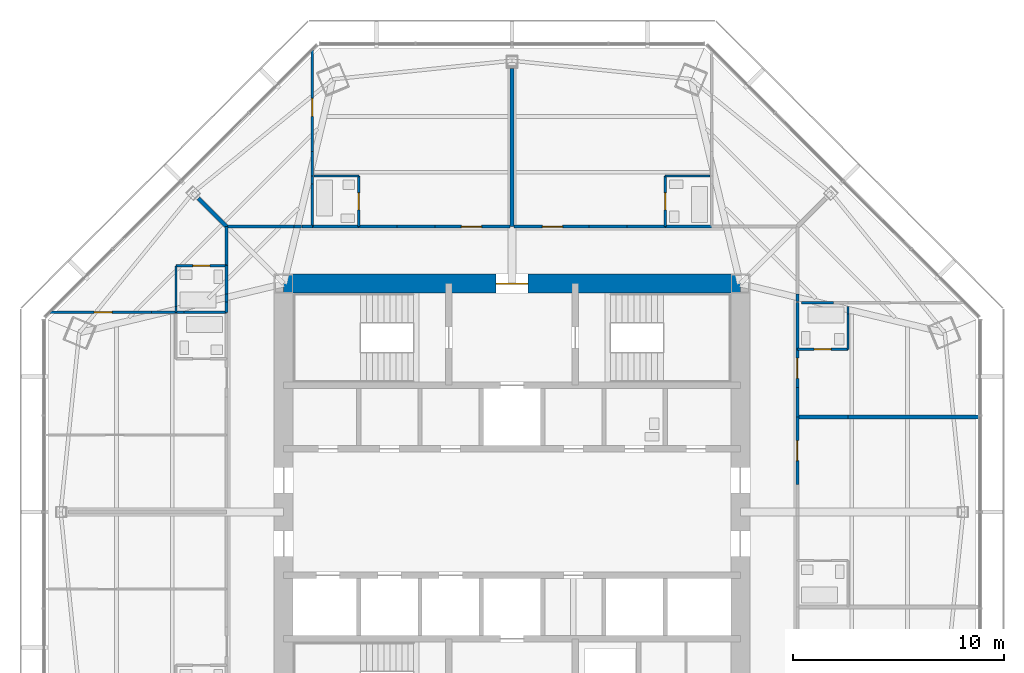
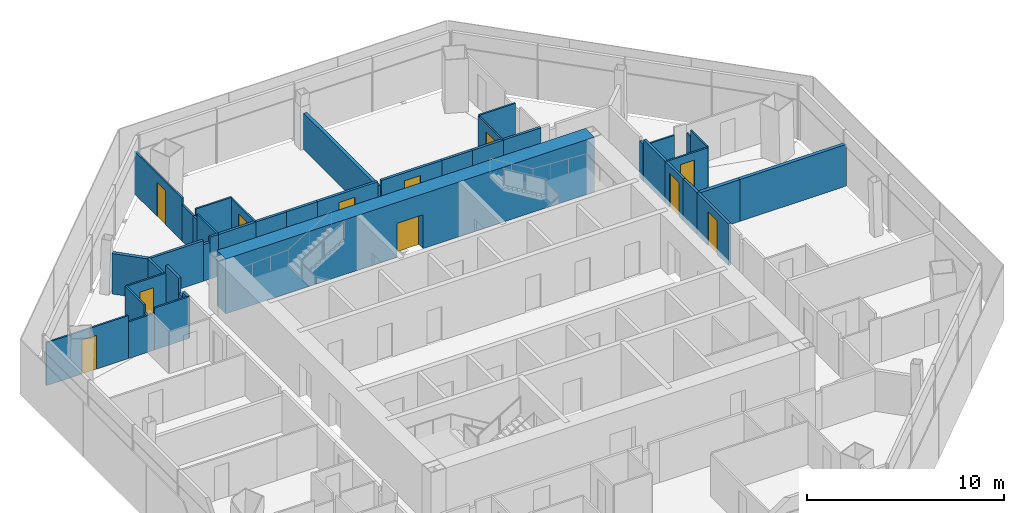
# One storey, part 12 of 15: 43 walls, 11 doors, 11 openings.
"""IFC4 building model written with IfcOpenShell, lengths in metres."""

import ifcopenshell
import ifcopenshell.guid

model = None  # the IFC model being written
_history = None  # IfcOwnerHistory: only IFC2X3 demands one
_inside = {}  # id of a spatial element -> (the spatial element, [elements in it])
_under = {}  # id of a project, library or spatial element -> (it, [spatial elements below it])
_declared = {}  # id of a project -> (the project, [libraries it declares])
_typed = {}  # id of a type object -> (the type object, [elements of that type])
_made_of = {}  # id of a material, layer set ... -> (it, [elements and type objects made of it])


def new_model(schema):
    """Start an empty IFC model of exactly this schema.

    Asked for "IFC4X3", IfcOpenShell would pick the latest addendum, in which some entities
    have other attributes; the version numbers below select the first issue.
    IFC2X3 requires an IfcOwnerHistory on every rooted entity: one is made here for all.
    """
    global model, _history
    if schema == "IFC4X3":
        model = ifcopenshell.file(schema_version=(4, 3, 0, 0))
    else:
        model = ifcopenshell.file(schema=schema)
    _inside.clear()
    _under.clear()
    _declared.clear()
    _typed.clear()
    _made_of.clear()
    _history = None
    if model.schema == "IFC2X3":
        org = make("IfcOrganization", Name="unknown")
        user = make(
            "IfcPersonAndOrganization",
            ThePerson=make("IfcPerson", FamilyName="unknown"),
            TheOrganization=org,
        )
        app = make(
            "IfcApplication",
            ApplicationDeveloper=org,
            Version="unknown",
            ApplicationFullName="unknown",
            ApplicationIdentifier="unknown",
        )
        _history = make(
            "IfcOwnerHistory",
            OwningUser=user,
            OwningApplication=app,
            ChangeAction="ADDED",
            CreationDate=0,
        )
    return model


def make(cls, **values):
    """One entity of the class cls with the attributes given. An attribute that is None is left unset."""
    return model.create_entity(
        cls, **{name: value for name, value in values.items() if value is not None}
    )


def rooted(cls, **values):
    """An entity with a GlobalId (a new one), such as an element, a storey or a relation."""
    return make(cls, GlobalId=ifcopenshell.guid.new(), OwnerHistory=_history, **values)


def si_unit(unit_type, name, prefix=None):
    """IfcSIUnit, for example si_unit("LENGTHUNIT", "METRE", prefix="MILLI")."""
    return make("IfcSIUnit", UnitType=unit_type, Prefix=prefix, Name=name)


def assignment(units):
    """IfcUnitAssignment: the units of a project."""
    return None if units is None else make("IfcUnitAssignment", Units=units)


def point(xyz):
    """IfcCartesianPoint."""
    return None if xyz is None else make("IfcCartesianPoint", Coordinates=xyz)


def direction(xyz):
    """IfcDirection."""
    return None if xyz is None else make("IfcDirection", DirectionRatios=xyz)


def frame(location, z_axis=None, x_axis=None):
    """IfcAxis2Placement3D, a coordinate frame: its origin and axes. An axis left out is left unset."""
    return make(
        "IfcAxis2Placement3D",
        Location=point(location),
        Axis=direction(z_axis),
        RefDirection=direction(x_axis),
    )


def frame_2d(location, x_axis=None):
    """IfcAxis2Placement2D, a coordinate frame in the plane: its origin and x axis."""
    return make(
        "IfcAxis2Placement2D", Location=point(location), RefDirection=direction(x_axis)
    )


def origin():
    """The frame at (0, 0, 0) with its axes left unset."""
    return frame((0.0, 0.0, 0.0))


def place(relative_to, where):
    """IfcLocalPlacement: puts the frame where relative to a parent placement (None: the world)."""
    return make(
        "IfcLocalPlacement", PlacementRelTo=relative_to, RelativePlacement=where
    )


def context(
    kind, dimensions, precision=None, world=None, true_north=None, identifier=None
):
    """IfcGeometricRepresentationContext, for example the 3D "Model" context."""
    return make(
        "IfcGeometricRepresentationContext",
        ContextIdentifier=identifier,
        ContextType=kind,
        CoordinateSpaceDimension=dimensions,
        Precision=precision,
        WorldCoordinateSystem=world,
        TrueNorth=true_north,
    )


def subcontext(parent, identifier, kind, view, scale=None):
    """IfcGeometricRepresentationSubContext, for example "Body" below "Model"."""
    return make(
        "IfcGeometricRepresentationSubContext",
        ContextIdentifier=identifier,
        ContextType=kind,
        ParentContext=parent,
        TargetScale=scale,
        TargetView=view,
    )


def project(units=None, contexts=None):
    """IfcProject with its units and contexts."""
    return rooted(
        "IfcProject",
        Name="project",
        RepresentationContexts=contexts,
        UnitsInContext=assignment(units),
    )


def spatial(cls, under=None, at=None, **own):
    """A site, building, storey or space (cls), placed at a placement, below another one or the project."""
    s = rooted(cls, ObjectPlacement=at, **own)
    if under is not None:
        _under.setdefault(under.id(), (under, []))[1].append(s)
    return s


def profile(cls, at=None, kind="AREA", **sizes):
    """A parametric profile (cls). Its sizes go by their IFC names, for example OverallWidth=200.0."""
    return make(cls, ProfileType=kind, Position=at, **sizes)


def rectangle(**sizes):
    """IfcRectangleProfileDef."""
    return profile("IfcRectangleProfileDef", **sizes)


def extrude(swept, where, along, depth):
    """IfcExtrudedAreaSolid: the profile swept, set in the frame where, extruded along a direction by depth."""
    return make(
        "IfcExtrudedAreaSolid",
        SweptArea=swept,
        Position=where,
        ExtrudedDirection=direction(along),
        Depth=depth,
    )


def shape(context_of_items, identifier, shape_type, items):
    """IfcShapeRepresentation: the items that make up one representation, for example the "Body"."""
    return make(
        "IfcShapeRepresentation",
        ContextOfItems=context_of_items,
        RepresentationIdentifier=identifier,
        RepresentationType=shape_type,
        Items=items,
    )


def material(Name=None, Category=None):
    """IfcMaterial."""
    return make("IfcMaterial", Name=Name, Category=Category)


def layer(
    of_material, thickness, ventilated=None, Name=None, Category=None, Priority=None
):
    """IfcMaterialLayer: one layer of a wall or slab, of a material (None: an air gap)."""
    return make(
        "IfcMaterialLayer",
        Material=of_material,
        LayerThickness=thickness,
        IsVentilated=ventilated,
        Name=Name,
        Category=Category,
        Priority=Priority,
    )


def layer_set(layers, Name=None):
    """IfcMaterialLayerSet."""
    return make("IfcMaterialLayerSet", MaterialLayers=layers, LayerSetName=Name)


def made_of(thing, what):
    """Note that an element or type object is made of a material, layer set ...; save() writes the relation."""
    if what is not None:
        _made_of.setdefault(what.id(), (what, []))[1].append(thing)
    return thing


def type_object(cls, material=None, **own):
    """A type object (cls), such as IfcWallType, which elements share."""
    return made_of(rooted(cls, **own), material)


def element(
    cls,
    number,
    at=None,
    inside=None,
    cuts=None,
    type_object=None,
    material=None,
    context=None,
    identifier="Body",
    shape_type=None,
    held_by="IfcProductDefinitionShape",
    body=None,
    shapes=None,
    **own,
):
    """One element of the class cls, such as IfcWall. Its Tag is "e" and its number.

    at: its placement. inside: the storey or other place that contains it. cuts: it is an
    opening in that element (IfcRelVoidsElement). A single representation is given by context,
    identifier, shape_type and body (its items); several are given by shapes. held_by: the class
    of the entity that holds the representations. save() writes the other relations.
    """
    e = rooted(cls, Tag="e%d" % number, ObjectPlacement=at, **own)
    if body is not None:
        shapes = [shape(context, identifier, shape_type, body)]
    if shapes is not None:
        e.Representation = make(held_by, Representations=shapes)
    if inside is not None:
        _inside.setdefault(inside.id(), (inside, []))[1].append(e)
    if cuts is not None:
        rooted(
            "IfcRelVoidsElement", RelatingBuildingElement=cuts, RelatedOpeningElement=e
        )
    if type_object is not None:
        _typed.setdefault(type_object.id(), (type_object, []))[1].append(e)
    return made_of(e, material)


def fill(opening, filler):
    """IfcRelFillsElement: the door or window that sits in an opening."""
    return rooted(
        "IfcRelFillsElement",
        RelatingOpeningElement=opening,
        RelatedBuildingElement=filler,
    )


def aggregate(whole, parts):
    """IfcRelAggregates: a whole, such as a stair, and the parts it consists of."""
    return rooted("IfcRelAggregates", RelatingObject=whole, RelatedObjects=parts)


def save(model, path):
    """Write the relations noted so far, then the file.

    IfcRelAggregates (storeys below a building ...), IfcRelContainedInSpatialStructure (elements
    in a storey), IfcRelDefinesByType, IfcRelAssociatesMaterial and IfcRelDeclares: one each for
    every whole, place, type object, material and project.
    """
    for whole, parts in _under.values():
        aggregate(whole, parts)
    for where, things in _inside.values():
        rooted(
            "IfcRelContainedInSpatialStructure",
            RelatedElements=things,
            RelatingStructure=where,
        )
    for kind, things in _typed.values():
        rooted("IfcRelDefinesByType", RelatedObjects=things, RelatingType=kind)
    for what, things in _made_of.values():
        rooted("IfcRelAssociatesMaterial", RelatedObjects=things, RelatingMaterial=what)
    for by, libraries in _declared.values():
        rooted("IfcRelDeclares", RelatingContext=by, RelatedDefinitions=libraries)
    model.write(path)


model = new_model("IFC4")

# Units and contexts
model_context = context("Model", 3, precision=1e-05, world=origin(), true_north=direction((0.0, 1.0)))
body_context = subcontext(model_context, "Body", "Model", "MODEL_VIEW")
ifc_project = project(units=[si_unit("LENGTHUNIT", "METRE"), si_unit("AREAUNIT", "SQUARE_METRE"), si_unit("VOLUMEUNIT", "CUBIC_METRE"), si_unit("PLANEANGLEUNIT", "RADIAN"), si_unit("MASSUNIT", "GRAM", prefix="KILO")], contexts=[model_context])

# Site, building, storey
site_placement = place(None, origin())
site = spatial("IfcSite", under=ifc_project, at=site_placement, CompositionType="ELEMENT")
building_placement = place(site_placement, origin())
building = spatial("IfcBuilding", under=site, at=building_placement, Name="Mashrafa Tower", CompositionType="ELEMENT")
storey_placement = place(building_placement, frame((0.0, 0.0, 207.39990234375)))
storey = spatial("IfcBuildingStorey", under=building, at=storey_placement, Name="L47", CompositionType="ELEMENT", Elevation=207.39990234375)

# Walls
ifc_material_1 = material(Name="Gypsum board on steel studs", Category="steel")
ifc_layer_1 = layer(ifc_material_1, 0.199951171875)
ifc_layer_set_1 = layer_set([ifc_layer_1], Name="Acoustic partition 200 1 hr")
wall_type_1 = type_object("IfcWallType", Name="Acoustic partition 200 1 hr", PredefinedType="PARTITIONING", material=ifc_layer_set_1)
wall_1_placement = place(storey_placement, frame((15.90087890625, 4.5, 0.0), z_axis=(0.0, 0.0, 1.0), x_axis=(-1.0, 0.0, 0.0)))
element("IfcWall", 1, at=wall_1_placement, inside=storey, type_object=wall_type_1, Name="Acoustic wall L47-071", PredefinedType="PARTITIONING", context=body_context, shape_type="SweptSolid", body=[
    extrude(rectangle(XDim=2.40087890625, YDim=0.199951171875, at=frame_2d((1.200439453125, 0.0))), origin(), (0.0, 0.0, 1.0), 2.590576171875),
])
wall_2_placement = place(storey_placement, frame((22.129638671875, 4.5, 0.0), z_axis=(0.0, 0.0, 1.0), x_axis=(-1.0, 0.0, 0.0)))
element("IfcWall", 2, at=wall_2_placement, inside=storey, type_object=wall_type_1, Name="Acoustic wall L47-072", PredefinedType="PARTITIONING", context=body_context, shape_type="SweptSolid", body=[
    extrude(rectangle(XDim=6.230712890625, YDim=0.199951171875, at=frame_2d((3.115234375, 0.0))), origin(), (0.0, 0.0, 1.0), 2.590576171875),
])
wall_3_placement = place(storey_placement, frame((0.0, 20.982421875, 0.0), z_axis=(0.0, 0.0, 1.0), x_axis=(0.0, -1.0, 0.0)))
element("IfcWall", 3, at=wall_3_placement, inside=storey, type_object=wall_type_1, Name="Acoustic wall L47-086", PredefinedType="PARTITIONING", context=body_context, shape_type="SweptSolid", body=[
    extrude(rectangle(XDim=7.482421875, YDim=0.199951171875, at=frame_2d((3.7412109375, 0.0))), origin(), (0.0, 0.0, 1.0), 2.2529296875),
])
wall_4_placement = place(storey_placement, frame((-14.8369140625, 14.8369140625, 0.0), z_axis=(0.0, 0.0, 1.0), x_axis=(0.707106781187, -0.707106781187, 0.0)))
element("IfcWall", 4, at=wall_4_placement, inside=storey, type_object=wall_type_1, Name="Acoustic wall L47-091", PredefinedType="PARTITIONING", context=body_context, shape_type="SweptSolid", body=[
    extrude(rectangle(XDim=1.890625, YDim=0.199951171875, at=frame_2d((0.9453125, 0.0))), origin(), (0.0, 0.0, 1.0), 2.511962890625),
])

# Wall, opening, door
ifc_material_2 = material(Name="Concrete C50/60", Category="concrete")
ifc_layer_2 = layer(ifc_material_2, 0.89990234375)
ifc_layer_set_2 = layer_set([ifc_layer_2], Name="Core wall 900 C50/60")
wall_type_2 = type_object("IfcWallType", Name="Core wall 900 C50/60", PredefinedType="SOLIDWALL", material=ifc_layer_set_2)
wall_5_placement = place(storey_placement, frame((10.800048828125, 10.800048828125, 0.0), z_axis=(0.0, 0.0, 1.0), x_axis=(-1.0, 0.0, 0.0)))
wall_5 = element("IfcWall", 5, at=wall_5_placement, inside=storey, type_object=wall_type_2, Name="Core wall CW-N L47", PredefinedType="SOLIDWALL", context=body_context, shape_type="SweptSolid", body=[
    extrude(rectangle(XDim=21.60009765625, YDim=0.89990234375, at=frame_2d((10.800048828125, 0.0))), origin(), (0.0, 0.0, 1.0), 3.400146484375),
])
opening_1_placement = place(wall_5_placement, frame((10.050048828125, 0.0, 0.0)))
opening_1 = element("IfcOpeningElement", 6, at=opening_1_placement, cuts=wall_5, Name="Opening 47.036", PredefinedType="OPENING", context=body_context, shape_type="SweptSolid", body=[
    extrude(rectangle(XDim=1.5, YDim=2.10009765625, at=frame_2d((0.75, 1.050048828125))), frame((0.0, 0.4599609375, 0.0), z_axis=(0.0, -1.0, 0.0), x_axis=(1.0, 0.0, 0.0)), (0.0, 0.0, 1.0), 0.919921875),
])
ifc_material_3 = material(Name="Steel door", Category="steel")
door_type_1 = type_object("IfcDoorType", Name="Lobby door pair 1500 x 2100 90 min", OperationType="DOUBLE_DOOR_SINGLE_SWING", PredefinedType="DOOR", material=ifc_material_3)
door_1_placement = place(opening_1_placement, origin())
door_1 = element("IfcDoor", 7, at=door_1_placement, inside=storey, type_object=door_type_1, Name="Fire-fighting lobby F1 door L47", OperationType="DOUBLE_DOOR_SINGLE_SWING", OverallHeight=2.10009765625, OverallWidth=1.5, PredefinedType="DOOR", context=body_context, shape_type="SweptSolid", body=[
    extrude(rectangle(XDim=1.5, YDim=2.10009765625, at=frame_2d((0.75, 1.050048828125))), frame((0.0, 0.02490234375, 0.0), z_axis=(0.0, -1.0, 0.0), x_axis=(1.0, 0.0, 0.0)), (0.0, 0.0, 1.0), 0.050048828125),
])
fill(opening_1, door_1)

ifc_material_4 = material(Name="Gypsum board on steel studs", Category="steel")
ifc_layer_3 = layer(ifc_material_4, 0.14990234375)
ifc_layer_set_3 = layer_set([ifc_layer_3], Name="Corridor partition 150 1 hr")
wall_type_3 = type_object("IfcWallType", Name="Corridor partition 150 1 hr", PredefinedType="PARTITIONING", material=ifc_layer_set_3)
wall_6_placement = place(storey_placement, frame((13.5, 1.299072265625, 0.0), z_axis=(0.0, 0.0, 1.0), x_axis=(0.0, 1.0, 0.0)))
wall_6 = element("IfcWall", 8, at=wall_6_placement, inside=storey, type_object=wall_type_3, Name="Corridor wall L47-011", PredefinedType="PARTITIONING", context=body_context, shape_type="SweptSolid", body=[
    extrude(rectangle(XDim=3.201904296875, YDim=0.14990234375, at=frame_2d((1.60107421875, 0.0))), origin(), (0.0, 0.0, 1.0), 2.590576171875),
])
opening_2_placement = place(wall_6_placement, frame((1.1259765625, 0.0, 0.0)))
opening_2 = element("IfcOpeningElement", 9, at=opening_2_placement, cuts=wall_6, Name="Opening 47.005", PredefinedType="OPENING", context=body_context, shape_type="SweptSolid", body=[
    extrude(rectangle(XDim=0.949951171875, YDim=2.10009765625, at=frame_2d((0.47509765625, 1.050048828125))), frame((0.0, 0.0849609375, 0.0), z_axis=(0.0, -1.0, 0.0), x_axis=(1.0, 0.0, 0.0)), (0.0, 0.0, 1.0), 0.169921875),
])
ifc_material_5 = material(Name="Steel door", Category="steel")
door_type_2 = type_object("IfcDoorType", Name="Residence entrance door 950 x 2100 20 min", OperationType="USERDEFINED", PredefinedType="DOOR", material=ifc_material_5)
door_2_placement = place(opening_2_placement, frame((0.949951171875, 0.0, 0.0), z_axis=(0.0, 0.0, 1.0), x_axis=(-1.0, 0.0, 0.0)))
door_2 = element("IfcDoor", 10, at=door_2_placement, inside=storey, type_object=door_type_2, Name="Apartment 4702 Studio Living Room door", OperationType="SINGLE_SWING_LEFT", OverallHeight=2.10009765625, OverallWidth=0.949951171875, PredefinedType="DOOR", context=body_context, shape_type="SweptSolid", body=[
    extrude(rectangle(XDim=0.949951171875, YDim=2.10009765625, at=frame_2d((0.47509765625, 1.050048828125))), frame((0.0, 0.02490234375, 0.0), z_axis=(0.0, -1.0, 0.0), x_axis=(1.0, 0.0, 0.0)), (0.0, 0.0, 1.0), 0.050048828125),
])
fill(opening_2, door_2)

# Walls
wall_7_placement = place(storey_placement, frame((13.5, 9.947265625, 0.0), z_axis=(0.0, 0.0, 1.0), x_axis=(0.0, 1.0, 0.0)))
element("IfcWall", 11, at=wall_7_placement, inside=storey, type_object=wall_type_3, Name="Corridor wall L47-013", PredefinedType="PARTITIONING", context=body_context, shape_type="SweptSolid", body=[
    extrude(rectangle(XDim=0.375732421875, YDim=0.14990234375, at=frame_2d((0.18798828125, 0.0))), origin(), (0.0, 0.0, 1.0), 2.268310546875),
])
wall_8_placement = place(storey_placement, frame((13.5, 7.698974609375, 0.0), z_axis=(0.0, 0.0, 1.0), x_axis=(0.0, 1.0, 0.0)))
element("IfcWall", 12, at=wall_8_placement, inside=storey, type_object=wall_type_3, Name="Corridor wall L47-014", PredefinedType="PARTITIONING", context=body_context, shape_type="SweptSolid", body=[
    extrude(rectangle(XDim=2.201904296875, YDim=0.14990234375, at=frame_2d((1.10107421875, 0.0))), origin(), (0.0, 0.0, 1.0), 2.590576171875),
])
wall_9_placement = place(storey_placement, frame((13.5, 4.4990234375, 0.0), z_axis=(0.0, 0.0, 1.0), x_axis=(0.0, 1.0, 0.0)))
element("IfcWall", 13, at=wall_9_placement, inside=storey, type_object=wall_type_3, Name="Corridor wall L47-015", PredefinedType="PARTITIONING", context=body_context, shape_type="SweptSolid", body=[
    extrude(rectangle(XDim=1.40185546875, YDim=0.14990234375, at=frame_2d((0.700927734375, 0.0))), origin(), (0.0, 0.0, 1.0), 2.590576171875),
])

# Wall, opening, door
wall_10_placement = place(storey_placement, frame((13.5, 5.89892578125, 0.0), z_axis=(0.0, 0.0, 1.0), x_axis=(0.0, 1.0, 0.0)))
wall_10 = element("IfcWall", 14, at=wall_10_placement, inside=storey, type_object=wall_type_3, Name="Corridor wall L47-016", PredefinedType="PARTITIONING", context=body_context, shape_type="SweptSolid", body=[
    extrude(rectangle(XDim=1.802001953125, YDim=0.14990234375, at=frame_2d((0.90087890625, 0.0))), origin(), (0.0, 0.0, 1.0), 2.590576171875),
])
opening_3_placement = place(wall_10_placement, frame((0.426025390625, 0.0, 0.0)))
opening_3 = element("IfcOpeningElement", 15, at=opening_3_placement, cuts=wall_10, Name="Opening 47.008", PredefinedType="OPENING", context=body_context, shape_type="SweptSolid", body=[
    extrude(rectangle(XDim=0.949951171875, YDim=2.10009765625, at=frame_2d((0.47509765625, 1.050048828125))), frame((0.0, 0.0849609375, 0.0), z_axis=(0.0, -1.0, 0.0), x_axis=(1.0, 0.0, 0.0)), (0.0, 0.0, 1.0), 0.169921875),
])
door_3_placement = place(opening_3_placement, frame((0.949951171875, 0.0, 0.0), z_axis=(0.0, 0.0, 1.0), x_axis=(-1.0, 0.0, 0.0)))
door_3 = element("IfcDoor", 16, at=door_3_placement, inside=storey, type_object=door_type_2, Name="Apartment 4703 Living Room door", OperationType="SINGLE_SWING_RIGHT", OverallHeight=2.10009765625, OverallWidth=0.949951171875, PredefinedType="DOOR", context=body_context, shape_type="SweptSolid", body=[
    extrude(rectangle(XDim=0.949951171875, YDim=2.10009765625, at=frame_2d((0.47509765625, 1.050048828125))), frame((0.0, 0.02490234375, 0.0), z_axis=(0.0, -1.0, 0.0), x_axis=(1.0, 0.0, 0.0)), (0.0, 0.0, 1.0), 0.050048828125),
])
fill(opening_3, door_3)

# Walls
wall_11_placement = place(storey_placement, frame((9.450927734375, 13.5, 0.0), z_axis=(0.0, 0.0, 1.0), x_axis=(-1.0, 0.0, 0.0)))
element("IfcWall", 17, at=wall_11_placement, inside=storey, type_object=wall_type_3, Name="Corridor wall L47-020", PredefinedType="PARTITIONING", context=body_context, shape_type="SweptSolid", body=[
    extrude(rectangle(XDim=2.201904296875, YDim=0.14990234375, at=frame_2d((1.10107421875, 0.0))), origin(), (0.0, 0.0, 1.0), 2.590576171875),
])
wall_12_placement = place(storey_placement, frame((5.450927734375, 13.5, 0.0), z_axis=(0.0, 0.0, 1.0), x_axis=(-1.0, 0.0, 0.0)))
element("IfcWall", 18, at=wall_12_placement, inside=storey, type_object=wall_type_3, Name="Corridor wall L47-021", PredefinedType="PARTITIONING", context=body_context, shape_type="SweptSolid", body=[
    extrude(rectangle(XDim=1.802001953125, YDim=0.14990234375, at=frame_2d((0.90087890625, 0.0))), origin(), (0.0, 0.0, 1.0), 2.590576171875),
])

# Wall, opening, door
wall_13_placement = place(storey_placement, frame((3.65087890625, 13.5, 0.0), z_axis=(0.0, 0.0, 1.0), x_axis=(-1.0, 0.0, 0.0)))
wall_13 = element("IfcWall", 19, at=wall_13_placement, inside=storey, type_object=wall_type_3, Name="Corridor wall L47-022", PredefinedType="PARTITIONING", context=body_context, shape_type="SweptSolid", body=[
    extrude(rectangle(XDim=3.548828125, YDim=0.14990234375, at=frame_2d((1.7744140625, 0.0))), origin(), (0.0, 0.0, 1.0), 2.590576171875),
])
opening_4_placement = place(wall_13_placement, frame((1.2587890625, 0.0, 0.0)))
opening_4 = element("IfcOpeningElement", 20, at=opening_4_placement, cuts=wall_13, Name="Opening 47.011", PredefinedType="OPENING", context=body_context, shape_type="SweptSolid", body=[
    extrude(rectangle(XDim=0.949951171875, YDim=2.10009765625, at=frame_2d((0.47509765625, 1.050048828125))), frame((0.0, 0.0849609375, 0.0), z_axis=(0.0, -1.0, 0.0), x_axis=(1.0, 0.0, 0.0)), (0.0, 0.0, 1.0), 0.169921875),
])
door_4_placement = place(opening_4_placement, frame((0.949951171875, 0.0, 0.0), z_axis=(0.0, 0.0, 1.0), x_axis=(-1.0, 0.0, 0.0)))
door_4 = element("IfcDoor", 21, at=door_4_placement, inside=storey, type_object=door_type_2, Name="Apartment 4704 Living Room door", OperationType="SINGLE_SWING_RIGHT", OverallHeight=2.10009765625, OverallWidth=0.949951171875, PredefinedType="DOOR", context=body_context, shape_type="SweptSolid", body=[
    extrude(rectangle(XDim=0.949951171875, YDim=2.10009765625, at=frame_2d((0.47509765625, 1.050048828125))), frame((0.0, 0.02490234375, 0.0), z_axis=(0.0, -1.0, 0.0), x_axis=(1.0, 0.0, 0.0)), (0.0, 0.0, 1.0), 0.050048828125),
])
fill(opening_4, door_4)

# Walls
wall_14_placement = place(storey_placement, frame((7.2509765625, 13.5, 0.0), z_axis=(0.0, 0.0, 1.0), x_axis=(-1.0, 0.0, 0.0)))
element("IfcWall", 22, at=wall_14_placement, inside=storey, type_object=wall_type_3, Name="Corridor wall L47-023", PredefinedType="PARTITIONING", context=body_context, shape_type="SweptSolid", body=[
    extrude(rectangle(XDim=1.802001953125, YDim=0.14990234375, at=frame_2d((0.90087890625, 0.0))), origin(), (0.0, 0.0, 1.0), 2.590576171875),
])
wall_15_placement = place(storey_placement, frame((-9.448974609375, 13.5, 0.0), z_axis=(0.0, 0.0, 1.0), x_axis=(-1.0, 0.0, 0.0)))
element("IfcWall", 23, at=wall_15_placement, inside=storey, type_object=wall_type_3, Name="Corridor wall L47-024", PredefinedType="PARTITIONING", context=body_context, shape_type="SweptSolid", body=[
    extrude(rectangle(XDim=0.498291015625, YDim=0.14990234375, at=frame_2d((0.2490234375, 0.0))), origin(), (0.0, 0.0, 1.0), 2.590576171875),
])
wall_16_placement = place(storey_placement, frame((-10.322998046875, 13.5, 0.0), z_axis=(0.0, 0.0, 1.0), x_axis=(-1.0, 0.0, 0.0)))
element("IfcWall", 24, at=wall_16_placement, inside=storey, type_object=wall_type_3, Name="Corridor wall L47-025", PredefinedType="PARTITIONING", context=body_context, shape_type="SweptSolid", body=[
    extrude(rectangle(XDim=3.177001953125, YDim=0.14990234375, at=frame_2d((1.58837890625, 0.0))), origin(), (0.0, 0.0, 1.0), 2.511962890625),
])
wall_17_placement = place(storey_placement, frame((-9.947265625, 13.5, 0.0), z_axis=(0.0, 0.0, 1.0), x_axis=(-1.0, 0.0, 0.0)))
element("IfcWall", 25, at=wall_17_placement, inside=storey, type_object=wall_type_3, Name="Corridor wall L47-026", PredefinedType="PARTITIONING", context=body_context, shape_type="SweptSolid", body=[
    extrude(rectangle(XDim=0.375732421875, YDim=0.14990234375, at=frame_2d((0.18798828125, 0.0))), origin(), (0.0, 0.0, 1.0), 2.268310546875),
])
wall_18_placement = place(storey_placement, frame((-7.2490234375, 13.5, 0.0), z_axis=(0.0, 0.0, 1.0), x_axis=(-1.0, 0.0, 0.0)))
element("IfcWall", 26, at=wall_18_placement, inside=storey, type_object=wall_type_3, Name="Corridor wall L47-027", PredefinedType="PARTITIONING", context=body_context, shape_type="SweptSolid", body=[
    extrude(rectangle(XDim=2.201904296875, YDim=0.14990234375, at=frame_2d((1.10107421875, 0.0))), origin(), (0.0, 0.0, 1.0), 2.590576171875),
])
for number, where, z_axis, x_axis, name in (
    (27, (-3.64892578125, 13.5, 0.0), (0.0, 0.0, 1.0), (-1.0, 0.0, 0.0), "Corridor wall L47-028"),
    (28, (-5.448974609375, 13.5, 0.0), (0.0, 0.0, 1.0), (-1.0, 0.0, 0.0), "Corridor wall L47-029"),
):
    element("IfcWall", number, at=place(storey_placement, frame(where, z_axis=z_axis, x_axis=x_axis)), inside=storey, type_object=wall_type_3, Name=name, PredefinedType="PARTITIONING", context=body_context, shape_type="SweptSolid", body=[
        extrude(rectangle(XDim=1.802001953125, YDim=0.14990234375, at=frame_2d((0.90087890625, 0.0))), origin(), (0.0, 0.0, 1.0), 2.590576171875),
    ])

# Wall, opening, door
wall_19_placement = place(storey_placement, frame((-0.10205078125, 13.5, 0.0), z_axis=(0.0, 0.0, 1.0), x_axis=(-1.0, 0.0, 0.0)))
wall_19 = element("IfcWall", 29, at=wall_19_placement, inside=storey, type_object=wall_type_3, Name="Corridor wall L47-030", PredefinedType="PARTITIONING", context=body_context, shape_type="SweptSolid", body=[
    extrude(rectangle(XDim=3.548828125, YDim=0.14990234375, at=frame_2d((1.7744140625, 0.0))), origin(), (0.0, 0.0, 1.0), 2.590576171875),
])
opening_5_placement = place(wall_19_placement, frame((1.34033203125, 0.0, 0.0)))
opening_5 = element("IfcOpeningElement", 30, at=opening_5_placement, cuts=wall_19, Name="Opening 47.014", PredefinedType="OPENING", context=body_context, shape_type="SweptSolid", body=[
    extrude(rectangle(XDim=0.949951171875, YDim=2.10009765625, at=frame_2d((0.47509765625, 1.050048828125))), frame((0.0, 0.0849609375, 0.0), z_axis=(0.0, -1.0, 0.0), x_axis=(1.0, 0.0, 0.0)), (0.0, 0.0, 1.0), 0.169921875),
])
door_5_placement = place(opening_5_placement, frame((0.949951171875, 0.0, 0.0), z_axis=(0.0, 0.0, 1.0), x_axis=(-1.0, 0.0, 0.0)))
door_5 = element("IfcDoor", 31, at=door_5_placement, inside=storey, type_object=door_type_2, Name="Apartment 4705 Living Room door", OperationType="SINGLE_SWING_LEFT", OverallHeight=2.10009765625, OverallWidth=0.949951171875, PredefinedType="DOOR", context=body_context, shape_type="SweptSolid", body=[
    extrude(rectangle(XDim=0.949951171875, YDim=2.10009765625, at=frame_2d((0.47509765625, 1.050048828125))), frame((0.0, 0.02490234375, 0.0), z_axis=(0.0, -1.0, 0.0), x_axis=(1.0, 0.0, 0.0)), (0.0, 0.0, 1.0), 0.050048828125),
])
fill(opening_5, door_5)

# Walls
wall_20_placement = place(storey_placement, frame((-13.5, 11.65087890625, 0.0), z_axis=(0.0, 0.0, 1.0), x_axis=(0.0, -1.0, 0.0)))
element("IfcWall", 32, at=wall_20_placement, inside=storey, type_object=wall_type_3, Name="Corridor wall L47-031", PredefinedType="PARTITIONING", context=body_context, shape_type="SweptSolid", body=[
    extrude(rectangle(XDim=1.327880859375, YDim=0.14990234375, at=frame_2d((0.6640625, 0.0))), origin(), (0.0, 0.0, 1.0), 3.2001953125),
])
wall_21_placement = place(storey_placement, frame((-13.5, 9.947265625, 0.0), z_axis=(0.0, 0.0, 1.0), x_axis=(0.0, -1.0, 0.0)))
element("IfcWall", 33, at=wall_21_placement, inside=storey, type_object=wall_type_3, Name="Corridor wall L47-032", PredefinedType="PARTITIONING", context=body_context, shape_type="SweptSolid", body=[
    extrude(rectangle(XDim=0.498291015625, YDim=0.14990234375, at=frame_2d((0.2490234375, 0.0))), origin(), (0.0, 0.0, 1.0), 2.590576171875),
])
wall_22_placement = place(storey_placement, frame((-13.5, 10.322998046875, 0.0), z_axis=(0.0, 0.0, 1.0), x_axis=(0.0, -1.0, 0.0)))
element("IfcWall", 34, at=wall_22_placement, inside=storey, type_object=wall_type_3, Name="Corridor wall L47-033", PredefinedType="PARTITIONING", context=body_context, shape_type="SweptSolid", body=[
    extrude(rectangle(XDim=0.375732421875, YDim=0.14990234375, at=frame_2d((0.18798828125, 0.0))), origin(), (0.0, 0.0, 1.0), 2.268310546875),
])
wall_23_placement = place(storey_placement, frame((-13.5, 13.5, 0.0), z_axis=(0.0, 0.0, 1.0), x_axis=(0.0, -1.0, 0.0)))
element("IfcWall", 35, at=wall_23_placement, inside=storey, type_object=wall_type_3, Name="Corridor wall L47-034", PredefinedType="PARTITIONING", context=body_context, shape_type="SweptSolid", body=[
    extrude(rectangle(XDim=1.85107421875, YDim=0.14990234375, at=frame_2d((0.925537109375, 0.0))), origin(), (0.0, 0.0, 1.0), 2.511962890625),
])
ifc_material_6 = material(Name="Gypsum board on steel studs", Category="steel")
ifc_layer_4 = layer(ifc_material_6, 0.10009765625)
ifc_layer_set_4 = layer_set([ifc_layer_4], Name="Partition 100")
wall_type_4 = type_object("IfcWallType", Name="Partition 100", PredefinedType="PARTITIONING", material=ifc_layer_set_4)
wall_24_placement = place(storey_placement, frame((13.69189453125, 9.89990234375, 0.0), z_axis=(0.0, 0.0, 1.0), x_axis=(1.0, 0.0, 0.0)))
element("IfcWall", 36, at=wall_24_placement, inside=storey, type_object=wall_type_4, Name="Partition wall L47-074", PredefinedType="PARTITIONING", context=body_context, shape_type="SweptSolid", body=[
    extrude(rectangle(XDim=1.52587890625, YDim=0.10009765625, at=frame_2d((0.762939453125, 0.0))), origin(), (0.0, 0.0, 1.0), 2.268310546875),
])

# Wall, opening, door
wall_25_placement = place(storey_placement, frame((13.5, 7.699951171875, 0.0), z_axis=(0.0, 0.0, 1.0), x_axis=(1.0, 0.0, 0.0)))
wall_25 = element("IfcWall", 37, at=wall_25_placement, inside=storey, type_object=wall_type_4, Name="Partition wall L47-077", PredefinedType="PARTITIONING", context=body_context, shape_type="SweptSolid", body=[
    extrude(rectangle(XDim=2.39990234375, YDim=0.10009765625, at=frame_2d((1.199951171875, 0.0))), origin(), (0.0, 0.0, 1.0), 2.590576171875),
])
opening_6_placement = place(wall_25_placement, frame((0.800048828125, 0.0, 0.0)))
opening_6 = element("IfcOpeningElement", 38, at=opening_6_placement, cuts=wall_25, Name="Opening 47.007", PredefinedType="OPENING", context=body_context, shape_type="SweptSolid", body=[
    extrude(rectangle(XDim=0.800048828125, YDim=2.10009765625, at=frame_2d((0.39990234375, 1.050048828125))), frame((0.0, 0.06005859375, 0.0), z_axis=(0.0, -1.0, 0.0), x_axis=(1.0, 0.0, 0.0)), (0.0, 0.0, 1.0), 0.1201171875),
])
ifc_material_7 = material(Name="Timber door", Category="wood")
door_type_3 = type_object("IfcDoorType", Name="Bathroom door 800 x 2100", OperationType="USERDEFINED", PredefinedType="DOOR", material=ifc_material_7)
door_6_placement = place(opening_6_placement, origin())
door_6 = element("IfcDoor", 39, at=door_6_placement, inside=storey, type_object=door_type_3, Name="Apartment 4703 Bathroom door", OperationType="SINGLE_SWING_RIGHT", OverallHeight=2.10009765625, OverallWidth=0.800048828125, PredefinedType="DOOR", context=body_context, shape_type="SweptSolid", body=[
    extrude(rectangle(XDim=0.800048828125, YDim=2.10009765625, at=frame_2d((0.39990234375, 1.050048828125))), frame((0.0, 0.02490234375, 0.0), z_axis=(0.0, -1.0, 0.0), x_axis=(1.0, 0.0, 0.0)), (0.0, 0.0, 1.0), 0.050048828125),
])
fill(opening_6, door_6)

# Walls
wall_26_placement = place(storey_placement, frame((15.89990234375, 7.699951171875, 0.0), z_axis=(0.0, 0.0, 1.0), x_axis=(0.0, 1.0, 0.0)))
element("IfcWall", 40, at=wall_26_placement, inside=storey, type_object=wall_type_4, Name="Partition wall L47-078", PredefinedType="PARTITIONING", context=body_context, shape_type="SweptSolid", body=[
    extrude(rectangle(XDim=1.65625, YDim=0.10009765625, at=frame_2d((0.828125, 0.0))), origin(), (0.0, 0.0, 1.0), 2.664306640625),
])
wall_27_placement = place(storey_placement, frame((15.89990234375, 9.356201171875, 0.0), z_axis=(0.0, 0.0, 1.0), x_axis=(0.0, 1.0, 0.0)))
element("IfcWall", 41, at=wall_27_placement, inside=storey, type_object=wall_type_4, Name="Partition wall L47-079", PredefinedType="PARTITIONING", context=body_context, shape_type="SweptSolid", body=[
    extrude(rectangle(XDim=0.375732421875, YDim=0.10009765625, at=frame_2d((0.18798828125, 0.0))), origin(), (0.0, 0.0, 1.0), 2.268310546875),
])
wall_28_placement = place(storey_placement, frame((9.356201171875, 15.89990234375, 0.0), z_axis=(0.0, 0.0, 1.0), x_axis=(-1.0, 0.0, 0.0)))
element("IfcWall", 42, at=wall_28_placement, inside=storey, type_object=wall_type_4, Name="Partition wall L47-084", PredefinedType="PARTITIONING", context=body_context, shape_type="SweptSolid", body=[
    extrude(rectangle(XDim=2.106201171875, YDim=0.10009765625, at=frame_2d((1.05322265625, 0.0))), origin(), (0.0, 0.0, 1.0), 2.664306640625),
])

# Wall, opening, door
wall_29_placement = place(storey_placement, frame((7.25, 15.89990234375, 0.0), z_axis=(0.0, 0.0, 1.0), x_axis=(0.0, -1.0, 0.0)))
wall_29 = element("IfcWall", 43, at=wall_29_placement, inside=storey, type_object=wall_type_4, Name="Partition wall L47-085", PredefinedType="PARTITIONING", context=body_context, shape_type="SweptSolid", body=[
    extrude(rectangle(XDim=2.39990234375, YDim=0.10009765625, at=frame_2d((1.199951171875, 0.0))), origin(), (0.0, 0.0, 1.0), 2.590576171875),
])
opening_7_placement = place(wall_29_placement, frame((0.800048828125, 0.0, 0.0)))
opening_7 = element("IfcOpeningElement", 44, at=opening_7_placement, cuts=wall_29, Name="Opening 47.010", PredefinedType="OPENING", context=body_context, shape_type="SweptSolid", body=[
    extrude(rectangle(XDim=0.800048828125, YDim=2.10009765625, at=frame_2d((0.39990234375, 1.050048828125))), frame((0.0, 0.06005859375, 0.0), z_axis=(0.0, -1.0, 0.0), x_axis=(1.0, 0.0, 0.0)), (0.0, 0.0, 1.0), 0.1201171875),
])
door_7_placement = place(opening_7_placement, origin())
door_7 = element("IfcDoor", 45, at=door_7_placement, inside=storey, type_object=door_type_3, Name="Apartment 4704 Bathroom door", OperationType="SINGLE_SWING_LEFT", OverallHeight=2.10009765625, OverallWidth=0.800048828125, PredefinedType="DOOR", context=body_context, shape_type="SweptSolid", body=[
    extrude(rectangle(XDim=0.800048828125, YDim=2.10009765625, at=frame_2d((0.39990234375, 1.050048828125))), frame((0.0, 0.02490234375, 0.0), z_axis=(0.0, -1.0, 0.0), x_axis=(1.0, 0.0, 0.0)), (0.0, 0.0, 1.0), 0.050048828125),
])
fill(opening_7, door_7)

# Walls
wall_30_placement = place(storey_placement, frame((-9.449951171875, 13.5, 0.0), z_axis=(0.0, 0.0, 1.0), x_axis=(0.0, 1.0, 0.0)))
element("IfcWall", 46, at=wall_30_placement, inside=storey, type_object=wall_type_4, Name="Partition wall L47-087", PredefinedType="PARTITIONING", context=body_context, shape_type="SweptSolid", body=[
    extrude(rectangle(XDim=2.019287109375, YDim=0.10009765625, at=frame_2d((1.009765625, 0.0))), origin(), (0.0, 0.0, 1.0), 2.590576171875),
])
wall_31_placement = place(storey_placement, frame((-9.449951171875, 15.519287109375, 0.0), z_axis=(0.0, 0.0, 1.0), x_axis=(0.0, 1.0, 0.0)))
element("IfcWall", 47, at=wall_31_placement, inside=storey, type_object=wall_type_4, Name="Partition wall L47-088", PredefinedType="PARTITIONING", context=body_context, shape_type="SweptSolid", body=[
    extrude(rectangle(XDim=0.381591796875, YDim=0.10009765625, at=frame_2d((0.19091796875, 0.0))), origin(), (0.0, 0.0, 1.0), 2.268310546875),
])

# Wall, opening, door
wall_32_placement = place(storey_placement, frame((-9.449951171875, 17.045166015625, 0.0), z_axis=(0.0, 0.0, 1.0), x_axis=(0.0, 1.0, 0.0)))
wall_32 = element("IfcWall", 48, at=wall_32_placement, inside=storey, type_object=wall_type_4, Name="Partition wall L47-089", PredefinedType="PARTITIONING", context=body_context, shape_type="SweptSolid", body=[
    extrude(rectangle(XDim=4.804443359375, YDim=0.10009765625, at=frame_2d((2.40234375, 0.0))), origin(), (0.0, 0.0, 1.0), 2.664306640625),
])
opening_8_placement = place(wall_32_placement, frame((1.669921875, 0.0, 0.0)))
opening_8 = element("IfcOpeningElement", 49, at=opening_8_placement, cuts=wall_32, Name="Opening 47.012", PredefinedType="OPENING", context=body_context, shape_type="SweptSolid", body=[
    extrude(rectangle(XDim=0.85009765625, YDim=2.10009765625, at=frame_2d((0.425048828125, 1.050048828125))), frame((0.0, 0.06005859375, 0.0), z_axis=(0.0, -1.0, 0.0), x_axis=(1.0, 0.0, 0.0)), (0.0, 0.0, 1.0), 0.1201171875),
])
ifc_material_8 = material(Name="Timber door", Category="wood")
door_type_4 = type_object("IfcDoorType", Name="Bedroom door 850 x 2100", OperationType="USERDEFINED", PredefinedType="DOOR", material=ifc_material_8)
door_8_placement = place(opening_8_placement, origin())
door_8 = element("IfcDoor", 50, at=door_8_placement, inside=storey, type_object=door_type_4, Name="Apartment 4705 Bedroom 1 door", OperationType="SINGLE_SWING_RIGHT", OverallHeight=2.10009765625, OverallWidth=0.85009765625, PredefinedType="DOOR", context=body_context, shape_type="SweptSolid", body=[
    extrude(rectangle(XDim=0.85009765625, YDim=2.10009765625, at=frame_2d((0.425048828125, 1.050048828125))), frame((0.0, 0.02490234375, 0.0), z_axis=(0.0, -1.0, 0.0), x_axis=(1.0, 0.0, 0.0)), (0.0, 0.0, 1.0), 0.050048828125),
])
fill(opening_8, door_8)

# Wall
wall_33_placement = place(storey_placement, frame((-9.449951171875, 15.89892578125, 0.0), z_axis=(0.0, 0.0, 1.0), x_axis=(0.0, 1.0, 0.0)))
element("IfcWall", 51, at=wall_33_placement, inside=storey, type_object=wall_type_4, Name="Partition wall L47-090", PredefinedType="PARTITIONING", context=body_context, shape_type="SweptSolid", body=[
    extrude(rectangle(XDim=1.146240234375, YDim=0.10009765625, at=frame_2d((0.5732421875, 0.0))), origin(), (0.0, 0.0, 1.0), 2.268310546875),
])

# Wall, opening, door
wall_34_placement = place(storey_placement, frame((-7.25, 13.5, 0.0), z_axis=(0.0, 0.0, 1.0), x_axis=(0.0, 1.0, 0.0)))
wall_34 = element("IfcWall", 52, at=wall_34_placement, inside=storey, type_object=wall_type_4, Name="Partition wall L47-092", PredefinedType="PARTITIONING", context=body_context, shape_type="SweptSolid", body=[
    extrude(rectangle(XDim=2.39990234375, YDim=0.10009765625, at=frame_2d((1.199951171875, 0.0))), origin(), (0.0, 0.0, 1.0), 2.590576171875),
])
opening_9_placement = place(wall_34_placement, frame((0.800048828125, 0.0, 0.0)))
opening_9 = element("IfcOpeningElement", 53, at=opening_9_placement, cuts=wall_34, Name="Opening 47.013", PredefinedType="OPENING", context=body_context, shape_type="SweptSolid", body=[
    extrude(rectangle(XDim=0.800048828125, YDim=2.10009765625, at=frame_2d((0.39990234375, 1.050048828125))), frame((0.0, 0.06005859375, 0.0), z_axis=(0.0, -1.0, 0.0), x_axis=(1.0, 0.0, 0.0)), (0.0, 0.0, 1.0), 0.1201171875),
])
door_9_placement = place(opening_9_placement, origin())
door_9 = element("IfcDoor", 54, at=door_9_placement, inside=storey, type_object=door_type_3, Name="Apartment 4705 Bathroom door", OperationType="SINGLE_SWING_RIGHT", OverallHeight=2.10009765625, OverallWidth=0.800048828125, PredefinedType="DOOR", context=body_context, shape_type="SweptSolid", body=[
    extrude(rectangle(XDim=0.800048828125, YDim=2.10009765625, at=frame_2d((0.39990234375, 1.050048828125))), frame((0.0, 0.02490234375, 0.0), z_axis=(0.0, -1.0, 0.0), x_axis=(1.0, 0.0, 0.0)), (0.0, 0.0, 1.0), 0.050048828125),
])
fill(opening_9, door_9)

# Wall
wall_35_placement = place(storey_placement, frame((-7.25, 15.89990234375, 0.0), z_axis=(0.0, 0.0, 1.0), x_axis=(-1.0, 0.0, 0.0)))
element("IfcWall", 55, at=wall_35_placement, inside=storey, type_object=wall_type_4, Name="Partition wall L47-093", PredefinedType="PARTITIONING", context=body_context, shape_type="SweptSolid", body=[
    extrude(rectangle(XDim=2.106201171875, YDim=0.10009765625, at=frame_2d((1.05322265625, 0.0))), origin(), (0.0, 0.0, 1.0), 2.664306640625),
])

# Wall, opening, door
wall_36_placement = place(storey_placement, frame((-13.5, 11.64990234375, 0.0), z_axis=(0.0, 0.0, 1.0), x_axis=(-1.0, 0.0, 0.0)))
wall_36 = element("IfcWall", 56, at=wall_36_placement, inside=storey, type_object=wall_type_4, Name="Partition wall L47-094", PredefinedType="PARTITIONING", context=body_context, shape_type="SweptSolid", body=[
    extrude(rectangle(XDim=2.39990234375, YDim=0.10009765625, at=frame_2d((1.199951171875, 0.0))), origin(), (0.0, 0.0, 1.0), 2.740478515625),
])
opening_10_placement = place(wall_36_placement, frame((0.800048828125, 0.0, 0.0)))
opening_10 = element("IfcOpeningElement", 57, at=opening_10_placement, cuts=wall_36, Name="Opening 47.015", PredefinedType="OPENING", context=body_context, shape_type="SweptSolid", body=[
    extrude(rectangle(XDim=0.800048828125, YDim=2.10009765625, at=frame_2d((0.39990234375, 1.050048828125))), frame((0.0, 0.06005859375, 0.0), z_axis=(0.0, -1.0, 0.0), x_axis=(1.0, 0.0, 0.0)), (0.0, 0.0, 1.0), 0.1201171875),
])
door_10_placement = place(opening_10_placement, origin())
door_10 = element("IfcDoor", 58, at=door_10_placement, inside=storey, type_object=door_type_3, Name="Apartment 4706 En-suite Bathroom door", OperationType="SINGLE_SWING_RIGHT", OverallHeight=2.10009765625, OverallWidth=0.800048828125, PredefinedType="DOOR", context=body_context, shape_type="SweptSolid", body=[
    extrude(rectangle(XDim=0.800048828125, YDim=2.10009765625, at=frame_2d((0.39990234375, 1.050048828125))), frame((0.0, 0.02490234375, 0.0), z_axis=(0.0, -1.0, 0.0), x_axis=(1.0, 0.0, 0.0)), (0.0, 0.0, 1.0), 0.050048828125),
])
fill(opening_10, door_10)

# Walls
wall_37_placement = place(storey_placement, frame((-15.89990234375, 11.64990234375, 0.0), z_axis=(0.0, 0.0, 1.0), x_axis=(0.0, -1.0, 0.0)))
element("IfcWall", 59, at=wall_37_placement, inside=storey, type_object=wall_type_4, Name="Partition wall L47-095", PredefinedType="PARTITIONING", context=body_context, shape_type="SweptSolid", body=[
    extrude(rectangle(XDim=1.91796875, YDim=0.10009765625, at=frame_2d((0.958984375, 0.0))), origin(), (0.0, 0.0, 1.0), 2.740478515625),
])
wall_38_placement = place(storey_placement, frame((-15.89990234375, 9.73193359375, 0.0), z_axis=(0.0, 0.0, 1.0), x_axis=(0.0, -1.0, 0.0)))
element("IfcWall", 60, at=wall_38_placement, inside=storey, type_object=wall_type_4, Name="Partition wall L47-096", PredefinedType="PARTITIONING", context=body_context, shape_type="SweptSolid", body=[
    extrude(rectangle(XDim=0.281982421875, YDim=0.10009765625, at=frame_2d((0.14111328125, 0.0))), origin(), (0.0, 0.0, 1.0), 2.268310546875),
])
wall_39_placement = place(storey_placement, frame((-15.519287109375, 9.449951171875, 0.0), z_axis=(0.0, 0.0, 1.0), x_axis=(1.0, 0.0, 0.0)))
element("IfcWall", 61, at=wall_39_placement, inside=storey, type_object=wall_type_4, Name="Partition wall L47-097", PredefinedType="PARTITIONING", context=body_context, shape_type="SweptSolid", body=[
    extrude(rectangle(XDim=2.019287109375, YDim=0.10009765625, at=frame_2d((1.009765625, 0.0))), origin(), (0.0, 0.0, 1.0), 2.590576171875),
])
wall_40_placement = place(storey_placement, frame((-15.519287109375, 9.449951171875, 0.0), z_axis=(0.0, 0.0, 1.0), x_axis=(-1.0, 0.0, 0.0)))
element("IfcWall", 62, at=wall_40_placement, inside=storey, type_object=wall_type_4, Name="Partition wall L47-098", PredefinedType="PARTITIONING", context=body_context, shape_type="SweptSolid", body=[
    extrude(rectangle(XDim=1.52587890625, YDim=0.10009765625, at=frame_2d((0.762939453125, 0.0))), origin(), (0.0, 0.0, 1.0), 2.268310546875),
])

# Wall, opening, door
wall_41_placement = place(storey_placement, frame((-21.849609375, 9.449951171875, 0.0), z_axis=(0.0, 0.0, 1.0), x_axis=(1.0, 0.0, 0.0)))
wall_41 = element("IfcWall", 63, at=wall_41_placement, inside=storey, type_object=wall_type_4, Name="Partition wall L47-099", PredefinedType="PARTITIONING", context=body_context, shape_type="SweptSolid", body=[
    extrude(rectangle(XDim=4.804443359375, YDim=0.10009765625, at=frame_2d((2.40234375, 0.0))), origin(), (0.0, 0.0, 1.0), 2.664306640625),
])
opening_11_placement = place(wall_41_placement, frame((2.080078125, 0.0, 0.0)))
opening_11 = element("IfcOpeningElement", 64, at=opening_11_placement, cuts=wall_41, Name="Opening 47.016", PredefinedType="OPENING", context=body_context, shape_type="SweptSolid", body=[
    extrude(rectangle(XDim=0.85009765625, YDim=2.10009765625, at=frame_2d((0.425048828125, 1.050048828125))), frame((0.0, 0.06005859375, 0.0), z_axis=(0.0, -1.0, 0.0), x_axis=(1.0, 0.0, 0.0)), (0.0, 0.0, 1.0), 0.1201171875),
])
door_11_placement = place(opening_11_placement, origin())
door_11 = element("IfcDoor", 65, at=door_11_placement, inside=storey, type_object=door_type_4, Name="Apartment 4706 Bedroom 1 door", OperationType="SINGLE_SWING_LEFT", OverallHeight=2.10009765625, OverallWidth=0.85009765625, PredefinedType="DOOR", context=body_context, shape_type="SweptSolid", body=[
    extrude(rectangle(XDim=0.85009765625, YDim=2.10009765625, at=frame_2d((0.425048828125, 1.050048828125))), frame((0.0, 0.02490234375, 0.0), z_axis=(0.0, -1.0, 0.0), x_axis=(1.0, 0.0, 0.0)), (0.0, 0.0, 1.0), 0.050048828125),
])
fill(opening_11, door_11)

save(model, "model.ifc")
